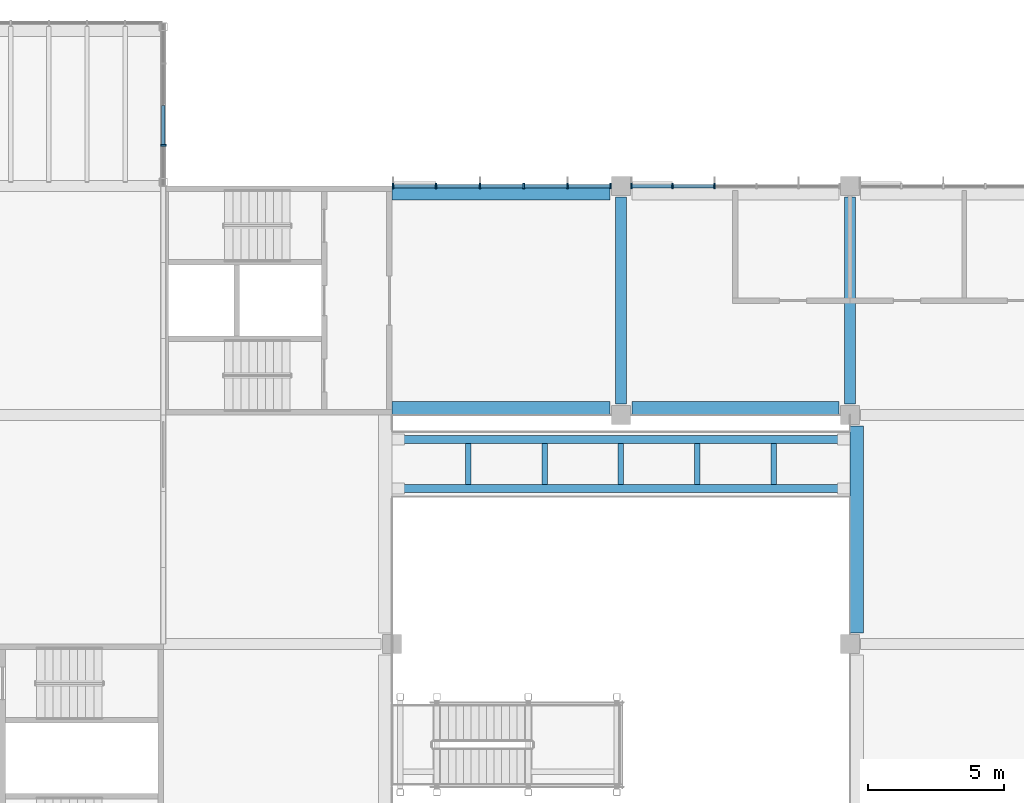
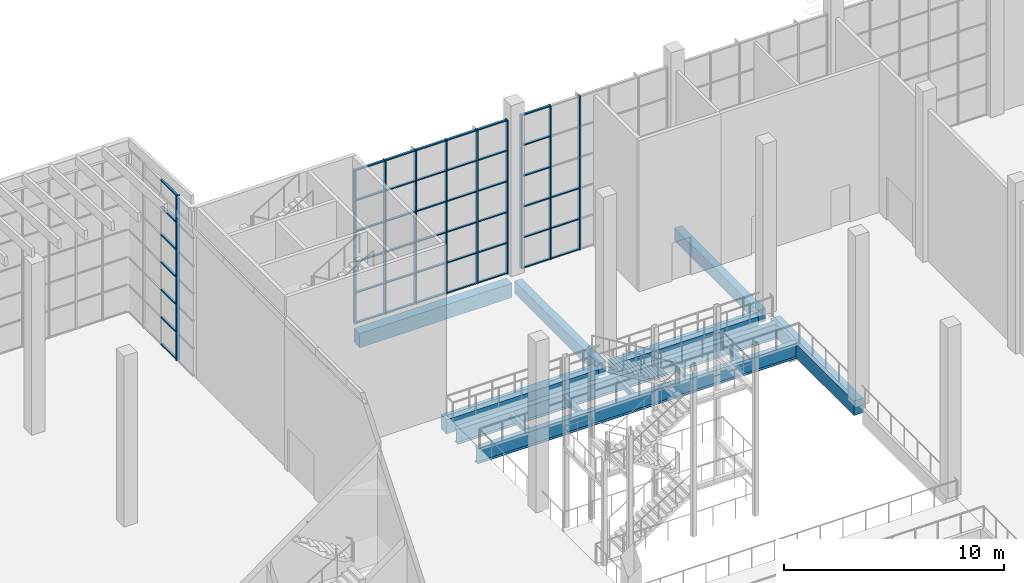
# One storey, part 23 of 114: 56 members, 13 beams, 3 elements without a shape of their own.
"""IFC4 building model written with IfcOpenShell, lengths in metres."""

from ifc_helpers import new_model, si_unit, direction, frame, origin, origin_2d, place, context, subcontext, project, spatial, rectangle, i_section, extrude, material, material_profile, profile_set, type_object, element, aggregate, save


model = new_model("IFC4")

# Units and contexts
model_context = context("Model", 3, precision=1e-05, world=origin(), true_north=direction((0.0, 1.0)))
body_context = subcontext(model_context, "Body", "Model", "MODEL_VIEW")
ifc_project = project(units=[si_unit("LENGTHUNIT", "METRE"), si_unit("AREAUNIT", "SQUARE_METRE"), si_unit("VOLUMEUNIT", "CUBIC_METRE"), si_unit("PLANEANGLEUNIT", "RADIAN"), si_unit("MASSUNIT", "GRAM", prefix="KILO")], contexts=[model_context])

# Site, building, storey
site_placement = place(None, origin())
site = spatial("IfcSite", under=ifc_project, at=site_placement, CompositionType="ELEMENT")
building_placement = place(site_placement, origin())
building = spatial("IfcBuilding", under=site, at=building_placement, Name="Almond Square Museum", CompositionType="ELEMENT")
storey_placement = place(building_placement, frame((0.0, 0.0, 10.5)))
storey = spatial("IfcBuildingStorey", under=building, at=storey_placement, Name="L02", CompositionType="ELEMENT", Elevation=10.5)

# Curtain wall, members
ifc_material_1 = material(Name="Aluminium and laminated glass", Category="aluminium")
curtain_wall_type = type_object("IfcCurtainWallType", Name="Unitised curtain wall 1500 module", PredefinedType="NOTDEFINED", material=ifc_material_1)
curtain_wall_1_placement = place(storey_placement, origin())
curtain_wall_1 = element("IfcCurtainWall", 1, at=curtain_wall_1_placement, inside=storey, type_object=curtain_wall_type, Name="Curtain wall CW-18", PredefinedType="NOTDEFINED")
ifc_material_2 = material(Name="Anodised aluminium", Category="aluminium")
ifc_material_profile_1 = material_profile(ifc_material_2, rectangle(XDim=0.199951171875, YDim=0.06005859375, at=origin_2d()))
ifc_profile_set_1 = profile_set([ifc_material_profile_1], Name="Anodised aluminium")
member_type_1 = type_object("IfcMemberType", Name="Aluminium mullion 60 x 200", PredefinedType="MULLION", material=ifc_profile_set_1)
member_1_placement = place(storey_placement, frame((90.3798828125, 109.199951171875, 0.0), z_axis=(0.0, 0.0, 1.0), x_axis=(0.0, 1.0, 0.0)))
member_1 = element("IfcMember", 2, at=member_1_placement, type_object=member_type_1, Name="CW-18 mullion 1", PredefinedType="MULLION", context=body_context, shape_type="SweptSolid", body=[
    extrude(rectangle(XDim=0.199951171875, YDim=0.06005859375, at=origin_2d()), origin(), (0.0, 0.0, 1.0), 8.550048828125),
])
member_2_placement = place(storey_placement, frame((91.889892578125, 109.199951171875, 0.0), z_axis=(0.0, 0.0, 1.0), x_axis=(0.0, 1.0, 0.0)))
member_2 = element("IfcMember", 3, at=member_2_placement, type_object=member_type_1, Name="CW-18 mullion 2", PredefinedType="MULLION", context=body_context, shape_type="SweptSolid", body=[
    extrude(rectangle(XDim=0.199951171875, YDim=0.06005859375, at=origin_2d()), origin(), (0.0, 0.0, 1.0), 8.550048828125),
])
member_3_placement = place(storey_placement, frame((93.429931640625, 109.199951171875, 0.0), z_axis=(0.0, 0.0, 1.0), x_axis=(0.0, 1.0, 0.0)))
member_3 = element("IfcMember", 4, at=member_3_placement, type_object=member_type_1, Name="CW-18 mullion 3", PredefinedType="MULLION", context=body_context, shape_type="SweptSolid", body=[
    extrude(rectangle(XDim=0.199951171875, YDim=0.06005859375, at=origin_2d()), origin(), (0.0, 0.0, 1.0), 8.550048828125),
])

curtain_wall_2_placement = place(storey_placement, origin())
curtain_wall_2 = element("IfcCurtainWall", 5, at=curtain_wall_2_placement, inside=storey, type_object=curtain_wall_type, Name="Curtain wall CW-19", PredefinedType="NOTDEFINED")
member_4_placement = place(storey_placement, frame((81.6298828125, 109.199951171875, 0.0), z_axis=(0.0, 0.0, 1.0), x_axis=(0.0, 1.0, 0.0)))
member_4 = element("IfcMember", 6, at=member_4_placement, type_object=member_type_1, Name="CW-19 mullion 1", PredefinedType="MULLION", context=body_context, shape_type="SweptSolid", body=[
    extrude(rectangle(XDim=0.199951171875, YDim=0.06005859375, at=origin_2d()), origin(), (0.0, 0.0, 1.0), 8.550048828125),
])
member_5_placement = place(storey_placement, frame((83.2099609375, 109.199951171875, 0.0), z_axis=(0.0, 0.0, 1.0), x_axis=(0.0, 1.0, 0.0)))
member_5 = element("IfcMember", 7, at=member_5_placement, type_object=member_type_1, Name="CW-19 mullion 2", PredefinedType="MULLION", context=body_context, shape_type="SweptSolid", body=[
    extrude(rectangle(XDim=0.199951171875, YDim=0.06005859375, at=origin_2d()), origin(), (0.0, 0.0, 1.0), 8.550048828125),
])
member_6_placement = place(storey_placement, frame((84.820068359375, 109.199951171875, 0.0), z_axis=(0.0, 0.0, 1.0), x_axis=(0.0, 1.0, 0.0)))
member_6 = element("IfcMember", 8, at=member_6_placement, type_object=member_type_1, Name="CW-19 mullion 3", PredefinedType="MULLION", context=body_context, shape_type="SweptSolid", body=[
    extrude(rectangle(XDim=0.199951171875, YDim=0.06005859375, at=origin_2d()), origin(), (0.0, 0.0, 1.0), 8.550048828125),
])
member_7_placement = place(storey_placement, frame((86.429931640625, 109.199951171875, 0.0), z_axis=(0.0, 0.0, 1.0), x_axis=(0.0, 1.0, 0.0)))
member_7 = element("IfcMember", 9, at=member_7_placement, type_object=member_type_1, Name="CW-19 mullion 4", PredefinedType="MULLION", context=body_context, shape_type="SweptSolid", body=[
    extrude(rectangle(XDim=0.199951171875, YDim=0.06005859375, at=origin_2d()), origin(), (0.0, 0.0, 1.0), 8.550048828125),
])
member_8_placement = place(storey_placement, frame((88.0400390625, 109.199951171875, 0.0), z_axis=(0.0, 0.0, 1.0), x_axis=(0.0, 1.0, 0.0)))
member_8 = element("IfcMember", 10, at=member_8_placement, type_object=member_type_1, Name="CW-19 mullion 5", PredefinedType="MULLION", context=body_context, shape_type="SweptSolid", body=[
    extrude(rectangle(XDim=0.199951171875, YDim=0.06005859375, at=origin_2d()), origin(), (0.0, 0.0, 1.0), 8.550048828125),
])
member_9_placement = place(storey_placement, frame((89.6201171875, 109.199951171875, 0.0), z_axis=(0.0, 0.0, 1.0), x_axis=(0.0, 1.0, 0.0)))
member_9 = element("IfcMember", 11, at=member_9_placement, type_object=member_type_1, Name="CW-19 mullion 6", PredefinedType="MULLION", context=body_context, shape_type="SweptSolid", body=[
    extrude(rectangle(XDim=0.199951171875, YDim=0.06005859375, at=origin_2d()), origin(), (0.0, 0.0, 1.0), 8.550048828125),
])

# Curtain wall, member
curtain_wall_3_placement = place(storey_placement, origin())
curtain_wall_3 = element("IfcCurtainWall", 12, at=curtain_wall_3_placement, inside=storey, type_object=curtain_wall_type, Name="Curtain wall CW-20", PredefinedType="NOTDEFINED")
member_10_placement = place(storey_placement, frame((73.199951171875, 110.699951171875, 0.0), z_axis=(0.0, 0.0, 1.0), x_axis=(-1.0, 0.0, 0.0)))
member_10 = element("IfcMember", 13, at=member_10_placement, type_object=member_type_1, Name="CW-20 mullion 2", PredefinedType="MULLION", context=body_context, shape_type="SweptSolid", body=[
    extrude(rectangle(XDim=0.199951171875, YDim=0.06005859375, at=origin_2d()), origin(), (0.0, 0.0, 1.0), 9.166259765625),
])

# Member
ifc_material_3 = material(Name="Anodised aluminium", Category="aluminium")
ifc_material_profile_2 = material_profile(ifc_material_3, rectangle(XDim=0.1201171875, YDim=0.06005859375, at=origin_2d()))
ifc_profile_set_2 = profile_set([ifc_material_profile_2], Name="Anodised aluminium")
member_type_2 = type_object("IfcMemberType", Name="Aluminium transom 60 x 120", PredefinedType="USERDEFINED", material=ifc_profile_set_2)
member_11_placement = place(storey_placement, frame((90.409912109375, 109.199951171875, 0.030029296875), z_axis=(1.0, 0.0, 0.0), x_axis=(0.0, 1.0, 0.0)))
member_11 = element("IfcMember", 14, at=member_11_placement, type_object=member_type_2, Name="CW-18 transom 1.1", ObjectType="TRANSOM", PredefinedType="USERDEFINED", context=body_context, shape_type="SweptSolid", body=[
    extrude(rectangle(XDim=0.1201171875, YDim=0.06005859375, at=origin_2d()), origin(), (0.0, 0.0, 1.0), 1.4501953125),
])

member_12_placement = place(storey_placement, frame((90.409912109375, 109.199951171875, 1.7099609375), z_axis=(1.0, 0.0, 0.0), x_axis=(0.0, 1.0, 0.0)))
member_12 = element("IfcMember", 15, at=member_12_placement, type_object=member_type_2, Name="CW-18 transom 1.2", ObjectType="TRANSOM", PredefinedType="USERDEFINED", context=body_context, shape_type="SweptSolid", body=[
    extrude(rectangle(XDim=0.1201171875, YDim=0.06005859375, at=origin_2d()), origin(), (0.0, 0.0, 1.0), 1.4501953125),
])

member_13_placement = place(storey_placement, frame((90.409912109375, 109.199951171875, 3.419921875), z_axis=(1.0, 0.0, 0.0), x_axis=(0.0, 1.0, 0.0)))
member_13 = element("IfcMember", 16, at=member_13_placement, type_object=member_type_2, Name="CW-18 transom 1.3", ObjectType="TRANSOM", PredefinedType="USERDEFINED", context=body_context, shape_type="SweptSolid", body=[
    extrude(rectangle(XDim=0.1201171875, YDim=0.06005859375, at=origin_2d()), origin(), (0.0, 0.0, 1.0), 1.4501953125),
])

member_14_placement = place(storey_placement, frame((90.409912109375, 109.199951171875, 5.1298828125), z_axis=(1.0, 0.0, 0.0), x_axis=(0.0, 1.0, 0.0)))
member_14 = element("IfcMember", 17, at=member_14_placement, type_object=member_type_2, Name="CW-18 transom 1.4", ObjectType="TRANSOM", PredefinedType="USERDEFINED", context=body_context, shape_type="SweptSolid", body=[
    extrude(rectangle(XDim=0.1201171875, YDim=0.06005859375, at=origin_2d()), origin(), (0.0, 0.0, 1.0), 1.4501953125),
])

member_15_placement = place(storey_placement, frame((90.409912109375, 109.199951171875, 6.840087890625), z_axis=(1.0, 0.0, 0.0), x_axis=(0.0, 1.0, 0.0)))
member_15 = element("IfcMember", 18, at=member_15_placement, type_object=member_type_2, Name="CW-18 transom 1.5", ObjectType="TRANSOM", PredefinedType="USERDEFINED", context=body_context, shape_type="SweptSolid", body=[
    extrude(rectangle(XDim=0.1201171875, YDim=0.06005859375, at=origin_2d()), origin(), (0.0, 0.0, 1.0), 1.4501953125),
])

member_16_placement = place(storey_placement, frame((90.409912109375, 109.199951171875, 8.52001953125), z_axis=(1.0, 0.0, 0.0), x_axis=(0.0, 1.0, 0.0)))
member_16 = element("IfcMember", 19, at=member_16_placement, type_object=member_type_2, Name="CW-18 transom 1.6", ObjectType="TRANSOM", PredefinedType="USERDEFINED", context=body_context, shape_type="SweptSolid", body=[
    extrude(rectangle(XDim=0.1201171875, YDim=0.06005859375, at=origin_2d()), origin(), (0.0, 0.0, 1.0), 1.4501953125),
])

member_17_placement = place(storey_placement, frame((91.919921875, 109.199951171875, 0.030029296875), z_axis=(1.0, 0.0, 0.0), x_axis=(0.0, 1.0, 0.0)))
member_17 = element("IfcMember", 20, at=member_17_placement, type_object=member_type_2, Name="CW-18 transom 2.1", ObjectType="TRANSOM", PredefinedType="USERDEFINED", context=body_context, shape_type="SweptSolid", body=[
    extrude(rectangle(XDim=0.1201171875, YDim=0.06005859375, at=origin_2d()), origin(), (0.0, 0.0, 1.0), 1.47998046875),
])

member_18_placement = place(storey_placement, frame((91.919921875, 109.199951171875, 1.7099609375), z_axis=(1.0, 0.0, 0.0), x_axis=(0.0, 1.0, 0.0)))
member_18 = element("IfcMember", 21, at=member_18_placement, type_object=member_type_2, Name="CW-18 transom 2.2", ObjectType="TRANSOM", PredefinedType="USERDEFINED", context=body_context, shape_type="SweptSolid", body=[
    extrude(rectangle(XDim=0.1201171875, YDim=0.06005859375, at=origin_2d()), origin(), (0.0, 0.0, 1.0), 1.47998046875),
])

member_19_placement = place(storey_placement, frame((91.919921875, 109.199951171875, 3.419921875), z_axis=(1.0, 0.0, 0.0), x_axis=(0.0, 1.0, 0.0)))
member_19 = element("IfcMember", 22, at=member_19_placement, type_object=member_type_2, Name="CW-18 transom 2.3", ObjectType="TRANSOM", PredefinedType="USERDEFINED", context=body_context, shape_type="SweptSolid", body=[
    extrude(rectangle(XDim=0.1201171875, YDim=0.06005859375, at=origin_2d()), origin(), (0.0, 0.0, 1.0), 1.47998046875),
])

aggregate(curtain_wall_1, [member_1, member_2, member_3, member_11, member_12, member_13, member_14, member_15, member_16, member_17, member_18, member_19])

member_20_placement = place(storey_placement, frame((81.659912109375, 109.199951171875, 0.030029296875), z_axis=(1.0, 0.0, 0.0), x_axis=(0.0, 1.0, 0.0)))
member_20 = element("IfcMember", 23, at=member_20_placement, type_object=member_type_2, Name="CW-19 transom 1.1", ObjectType="TRANSOM", PredefinedType="USERDEFINED", context=body_context, shape_type="SweptSolid", body=[
    extrude(rectangle(XDim=0.1201171875, YDim=0.06005859375, at=origin_2d()), origin(), (0.0, 0.0, 1.0), 1.52001953125),
])

member_21_placement = place(storey_placement, frame((81.659912109375, 109.199951171875, 1.7099609375), z_axis=(1.0, 0.0, 0.0), x_axis=(0.0, 1.0, 0.0)))
member_21 = element("IfcMember", 24, at=member_21_placement, type_object=member_type_2, Name="CW-19 transom 1.2", ObjectType="TRANSOM", PredefinedType="USERDEFINED", context=body_context, shape_type="SweptSolid", body=[
    extrude(rectangle(XDim=0.1201171875, YDim=0.06005859375, at=origin_2d()), origin(), (0.0, 0.0, 1.0), 1.52001953125),
])

member_22_placement = place(storey_placement, frame((81.659912109375, 109.199951171875, 3.419921875), z_axis=(1.0, 0.0, 0.0), x_axis=(0.0, 1.0, 0.0)))
member_22 = element("IfcMember", 25, at=member_22_placement, type_object=member_type_2, Name="CW-19 transom 1.3", ObjectType="TRANSOM", PredefinedType="USERDEFINED", context=body_context, shape_type="SweptSolid", body=[
    extrude(rectangle(XDim=0.1201171875, YDim=0.06005859375, at=origin_2d()), origin(), (0.0, 0.0, 1.0), 1.52001953125),
])

member_23_placement = place(storey_placement, frame((81.659912109375, 109.199951171875, 5.1298828125), z_axis=(1.0, 0.0, 0.0), x_axis=(0.0, 1.0, 0.0)))
member_23 = element("IfcMember", 26, at=member_23_placement, type_object=member_type_2, Name="CW-19 transom 1.4", ObjectType="TRANSOM", PredefinedType="USERDEFINED", context=body_context, shape_type="SweptSolid", body=[
    extrude(rectangle(XDim=0.1201171875, YDim=0.06005859375, at=origin_2d()), origin(), (0.0, 0.0, 1.0), 1.52001953125),
])

member_24_placement = place(storey_placement, frame((81.659912109375, 109.199951171875, 6.840087890625), z_axis=(1.0, 0.0, 0.0), x_axis=(0.0, 1.0, 0.0)))
member_24 = element("IfcMember", 27, at=member_24_placement, type_object=member_type_2, Name="CW-19 transom 1.5", ObjectType="TRANSOM", PredefinedType="USERDEFINED", context=body_context, shape_type="SweptSolid", body=[
    extrude(rectangle(XDim=0.1201171875, YDim=0.06005859375, at=origin_2d()), origin(), (0.0, 0.0, 1.0), 1.52001953125),
])

member_25_placement = place(storey_placement, frame((81.659912109375, 109.199951171875, 8.52001953125), z_axis=(1.0, 0.0, 0.0), x_axis=(0.0, 1.0, 0.0)))
member_25 = element("IfcMember", 28, at=member_25_placement, type_object=member_type_2, Name="CW-19 transom 1.6", ObjectType="TRANSOM", PredefinedType="USERDEFINED", context=body_context, shape_type="SweptSolid", body=[
    extrude(rectangle(XDim=0.1201171875, YDim=0.06005859375, at=origin_2d()), origin(), (0.0, 0.0, 1.0), 1.52001953125),
])

member_26_placement = place(storey_placement, frame((83.239990234375, 109.199951171875, 0.030029296875), z_axis=(1.0, 0.0, 0.0), x_axis=(0.0, 1.0, 0.0)))
member_26 = element("IfcMember", 29, at=member_26_placement, type_object=member_type_2, Name="CW-19 transom 2.1", ObjectType="TRANSOM", PredefinedType="USERDEFINED", context=body_context, shape_type="SweptSolid", body=[
    extrude(rectangle(XDim=0.1201171875, YDim=0.06005859375, at=origin_2d()), origin(), (0.0, 0.0, 1.0), 1.550048828125),
])

member_27_placement = place(storey_placement, frame((83.239990234375, 109.199951171875, 1.7099609375), z_axis=(1.0, 0.0, 0.0), x_axis=(0.0, 1.0, 0.0)))
member_27 = element("IfcMember", 30, at=member_27_placement, type_object=member_type_2, Name="CW-19 transom 2.2", ObjectType="TRANSOM", PredefinedType="USERDEFINED", context=body_context, shape_type="SweptSolid", body=[
    extrude(rectangle(XDim=0.1201171875, YDim=0.06005859375, at=origin_2d()), origin(), (0.0, 0.0, 1.0), 1.550048828125),
])

member_28_placement = place(storey_placement, frame((83.239990234375, 109.199951171875, 3.419921875), z_axis=(1.0, 0.0, 0.0), x_axis=(0.0, 1.0, 0.0)))
member_28 = element("IfcMember", 31, at=member_28_placement, type_object=member_type_2, Name="CW-19 transom 2.3", ObjectType="TRANSOM", PredefinedType="USERDEFINED", context=body_context, shape_type="SweptSolid", body=[
    extrude(rectangle(XDim=0.1201171875, YDim=0.06005859375, at=origin_2d()), origin(), (0.0, 0.0, 1.0), 1.550048828125),
])

member_29_placement = place(storey_placement, frame((83.239990234375, 109.199951171875, 5.1298828125), z_axis=(1.0, 0.0, 0.0), x_axis=(0.0, 1.0, 0.0)))
member_29 = element("IfcMember", 32, at=member_29_placement, type_object=member_type_2, Name="CW-19 transom 2.4", ObjectType="TRANSOM", PredefinedType="USERDEFINED", context=body_context, shape_type="SweptSolid", body=[
    extrude(rectangle(XDim=0.1201171875, YDim=0.06005859375, at=origin_2d()), origin(), (0.0, 0.0, 1.0), 1.550048828125),
])

member_30_placement = place(storey_placement, frame((83.239990234375, 109.199951171875, 6.840087890625), z_axis=(1.0, 0.0, 0.0), x_axis=(0.0, 1.0, 0.0)))
member_30 = element("IfcMember", 33, at=member_30_placement, type_object=member_type_2, Name="CW-19 transom 2.5", ObjectType="TRANSOM", PredefinedType="USERDEFINED", context=body_context, shape_type="SweptSolid", body=[
    extrude(rectangle(XDim=0.1201171875, YDim=0.06005859375, at=origin_2d()), origin(), (0.0, 0.0, 1.0), 1.550048828125),
])

member_31_placement = place(storey_placement, frame((83.239990234375, 109.199951171875, 8.52001953125), z_axis=(1.0, 0.0, 0.0), x_axis=(0.0, 1.0, 0.0)))
member_31 = element("IfcMember", 34, at=member_31_placement, type_object=member_type_2, Name="CW-19 transom 2.6", ObjectType="TRANSOM", PredefinedType="USERDEFINED", context=body_context, shape_type="SweptSolid", body=[
    extrude(rectangle(XDim=0.1201171875, YDim=0.06005859375, at=origin_2d()), origin(), (0.0, 0.0, 1.0), 1.550048828125),
])

member_32_placement = place(storey_placement, frame((84.85009765625, 109.199951171875, 0.030029296875), z_axis=(1.0, 0.0, 0.0), x_axis=(0.0, 1.0, 0.0)))
member_32 = element("IfcMember", 35, at=member_32_placement, type_object=member_type_2, Name="CW-19 transom 3.1", ObjectType="TRANSOM", PredefinedType="USERDEFINED", context=body_context, shape_type="SweptSolid", body=[
    extrude(rectangle(XDim=0.1201171875, YDim=0.06005859375, at=origin_2d()), origin(), (0.0, 0.0, 1.0), 1.5498046875),
])

member_33_placement = place(storey_placement, frame((84.85009765625, 109.199951171875, 1.7099609375), z_axis=(1.0, 0.0, 0.0), x_axis=(0.0, 1.0, 0.0)))
member_33 = element("IfcMember", 36, at=member_33_placement, type_object=member_type_2, Name="CW-19 transom 3.2", ObjectType="TRANSOM", PredefinedType="USERDEFINED", context=body_context, shape_type="SweptSolid", body=[
    extrude(rectangle(XDim=0.1201171875, YDim=0.06005859375, at=origin_2d()), origin(), (0.0, 0.0, 1.0), 1.5498046875),
])

member_34_placement = place(storey_placement, frame((84.85009765625, 109.199951171875, 3.419921875), z_axis=(1.0, 0.0, 0.0), x_axis=(0.0, 1.0, 0.0)))
member_34 = element("IfcMember", 37, at=member_34_placement, type_object=member_type_2, Name="CW-19 transom 3.3", ObjectType="TRANSOM", PredefinedType="USERDEFINED", context=body_context, shape_type="SweptSolid", body=[
    extrude(rectangle(XDim=0.1201171875, YDim=0.06005859375, at=origin_2d()), origin(), (0.0, 0.0, 1.0), 1.5498046875),
])

member_35_placement = place(storey_placement, frame((84.85009765625, 109.199951171875, 5.1298828125), z_axis=(1.0, 0.0, 0.0), x_axis=(0.0, 1.0, 0.0)))
member_35 = element("IfcMember", 38, at=member_35_placement, type_object=member_type_2, Name="CW-19 transom 3.4", ObjectType="TRANSOM", PredefinedType="USERDEFINED", context=body_context, shape_type="SweptSolid", body=[
    extrude(rectangle(XDim=0.1201171875, YDim=0.06005859375, at=origin_2d()), origin(), (0.0, 0.0, 1.0), 1.5498046875),
])

member_36_placement = place(storey_placement, frame((84.85009765625, 109.199951171875, 6.840087890625), z_axis=(1.0, 0.0, 0.0), x_axis=(0.0, 1.0, 0.0)))
member_36 = element("IfcMember", 39, at=member_36_placement, type_object=member_type_2, Name="CW-19 transom 3.5", ObjectType="TRANSOM", PredefinedType="USERDEFINED", context=body_context, shape_type="SweptSolid", body=[
    extrude(rectangle(XDim=0.1201171875, YDim=0.06005859375, at=origin_2d()), origin(), (0.0, 0.0, 1.0), 1.5498046875),
])

member_37_placement = place(storey_placement, frame((84.85009765625, 109.199951171875, 8.52001953125), z_axis=(1.0, 0.0, 0.0), x_axis=(0.0, 1.0, 0.0)))
member_37 = element("IfcMember", 40, at=member_37_placement, type_object=member_type_2, Name="CW-19 transom 3.6", ObjectType="TRANSOM", PredefinedType="USERDEFINED", context=body_context, shape_type="SweptSolid", body=[
    extrude(rectangle(XDim=0.1201171875, YDim=0.06005859375, at=origin_2d()), origin(), (0.0, 0.0, 1.0), 1.5498046875),
])

member_38_placement = place(storey_placement, frame((86.4599609375, 109.199951171875, 0.030029296875), z_axis=(1.0, 0.0, 0.0), x_axis=(0.0, 1.0, 0.0)))
member_38 = element("IfcMember", 41, at=member_38_placement, type_object=member_type_2, Name="CW-19 transom 4.1", ObjectType="TRANSOM", PredefinedType="USERDEFINED", context=body_context, shape_type="SweptSolid", body=[
    extrude(rectangle(XDim=0.1201171875, YDim=0.06005859375, at=origin_2d()), origin(), (0.0, 0.0, 1.0), 1.550048828125),
])

member_39_placement = place(storey_placement, frame((86.4599609375, 109.199951171875, 1.7099609375), z_axis=(1.0, 0.0, 0.0), x_axis=(0.0, 1.0, 0.0)))
member_39 = element("IfcMember", 42, at=member_39_placement, type_object=member_type_2, Name="CW-19 transom 4.2", ObjectType="TRANSOM", PredefinedType="USERDEFINED", context=body_context, shape_type="SweptSolid", body=[
    extrude(rectangle(XDim=0.1201171875, YDim=0.06005859375, at=origin_2d()), origin(), (0.0, 0.0, 1.0), 1.550048828125),
])

member_40_placement = place(storey_placement, frame((86.4599609375, 109.199951171875, 3.419921875), z_axis=(1.0, 0.0, 0.0), x_axis=(0.0, 1.0, 0.0)))
member_40 = element("IfcMember", 43, at=member_40_placement, type_object=member_type_2, Name="CW-19 transom 4.3", ObjectType="TRANSOM", PredefinedType="USERDEFINED", context=body_context, shape_type="SweptSolid", body=[
    extrude(rectangle(XDim=0.1201171875, YDim=0.06005859375, at=origin_2d()), origin(), (0.0, 0.0, 1.0), 1.550048828125),
])

member_41_placement = place(storey_placement, frame((86.4599609375, 109.199951171875, 5.1298828125), z_axis=(1.0, 0.0, 0.0), x_axis=(0.0, 1.0, 0.0)))
member_41 = element("IfcMember", 44, at=member_41_placement, type_object=member_type_2, Name="CW-19 transom 4.4", ObjectType="TRANSOM", PredefinedType="USERDEFINED", context=body_context, shape_type="SweptSolid", body=[
    extrude(rectangle(XDim=0.1201171875, YDim=0.06005859375, at=origin_2d()), origin(), (0.0, 0.0, 1.0), 1.550048828125),
])

member_42_placement = place(storey_placement, frame((86.4599609375, 109.199951171875, 6.840087890625), z_axis=(1.0, 0.0, 0.0), x_axis=(0.0, 1.0, 0.0)))
member_42 = element("IfcMember", 45, at=member_42_placement, type_object=member_type_2, Name="CW-19 transom 4.5", ObjectType="TRANSOM", PredefinedType="USERDEFINED", context=body_context, shape_type="SweptSolid", body=[
    extrude(rectangle(XDim=0.1201171875, YDim=0.06005859375, at=origin_2d()), origin(), (0.0, 0.0, 1.0), 1.550048828125),
])

member_43_placement = place(storey_placement, frame((86.4599609375, 109.199951171875, 8.52001953125), z_axis=(1.0, 0.0, 0.0), x_axis=(0.0, 1.0, 0.0)))
member_43 = element("IfcMember", 46, at=member_43_placement, type_object=member_type_2, Name="CW-19 transom 4.6", ObjectType="TRANSOM", PredefinedType="USERDEFINED", context=body_context, shape_type="SweptSolid", body=[
    extrude(rectangle(XDim=0.1201171875, YDim=0.06005859375, at=origin_2d()), origin(), (0.0, 0.0, 1.0), 1.550048828125),
])

member_44_placement = place(storey_placement, frame((88.070068359375, 109.199951171875, 0.030029296875), z_axis=(1.0, 0.0, 0.0), x_axis=(0.0, 1.0, 0.0)))
member_44 = element("IfcMember", 47, at=member_44_placement, type_object=member_type_2, Name="CW-19 transom 5.1", ObjectType="TRANSOM", PredefinedType="USERDEFINED", context=body_context, shape_type="SweptSolid", body=[
    extrude(rectangle(XDim=0.1201171875, YDim=0.06005859375, at=origin_2d()), origin(), (0.0, 0.0, 1.0), 1.52001953125),
])

member_45_placement = place(storey_placement, frame((88.070068359375, 109.199951171875, 1.7099609375), z_axis=(1.0, 0.0, 0.0), x_axis=(0.0, 1.0, 0.0)))
member_45 = element("IfcMember", 48, at=member_45_placement, type_object=member_type_2, Name="CW-19 transom 5.2", ObjectType="TRANSOM", PredefinedType="USERDEFINED", context=body_context, shape_type="SweptSolid", body=[
    extrude(rectangle(XDim=0.1201171875, YDim=0.06005859375, at=origin_2d()), origin(), (0.0, 0.0, 1.0), 1.52001953125),
])

member_46_placement = place(storey_placement, frame((88.070068359375, 109.199951171875, 3.419921875), z_axis=(1.0, 0.0, 0.0), x_axis=(0.0, 1.0, 0.0)))
member_46 = element("IfcMember", 49, at=member_46_placement, type_object=member_type_2, Name="CW-19 transom 5.3", ObjectType="TRANSOM", PredefinedType="USERDEFINED", context=body_context, shape_type="SweptSolid", body=[
    extrude(rectangle(XDim=0.1201171875, YDim=0.06005859375, at=origin_2d()), origin(), (0.0, 0.0, 1.0), 1.52001953125),
])

member_47_placement = place(storey_placement, frame((88.070068359375, 109.199951171875, 5.1298828125), z_axis=(1.0, 0.0, 0.0), x_axis=(0.0, 1.0, 0.0)))
member_47 = element("IfcMember", 50, at=member_47_placement, type_object=member_type_2, Name="CW-19 transom 5.4", ObjectType="TRANSOM", PredefinedType="USERDEFINED", context=body_context, shape_type="SweptSolid", body=[
    extrude(rectangle(XDim=0.1201171875, YDim=0.06005859375, at=origin_2d()), origin(), (0.0, 0.0, 1.0), 1.52001953125),
])

member_48_placement = place(storey_placement, frame((88.070068359375, 109.199951171875, 6.840087890625), z_axis=(1.0, 0.0, 0.0), x_axis=(0.0, 1.0, 0.0)))
member_48 = element("IfcMember", 51, at=member_48_placement, type_object=member_type_2, Name="CW-19 transom 5.5", ObjectType="TRANSOM", PredefinedType="USERDEFINED", context=body_context, shape_type="SweptSolid", body=[
    extrude(rectangle(XDim=0.1201171875, YDim=0.06005859375, at=origin_2d()), origin(), (0.0, 0.0, 1.0), 1.52001953125),
])

member_49_placement = place(storey_placement, frame((88.070068359375, 109.199951171875, 8.52001953125), z_axis=(1.0, 0.0, 0.0), x_axis=(0.0, 1.0, 0.0)))
member_49 = element("IfcMember", 52, at=member_49_placement, type_object=member_type_2, Name="CW-19 transom 5.6", ObjectType="TRANSOM", PredefinedType="USERDEFINED", context=body_context, shape_type="SweptSolid", body=[
    extrude(rectangle(XDim=0.1201171875, YDim=0.06005859375, at=origin_2d()), origin(), (0.0, 0.0, 1.0), 1.52001953125),
])

aggregate(curtain_wall_2, [member_4, member_5, member_6, member_7, member_8, member_9, member_20, member_21, member_22, member_23, member_24, member_25, member_26, member_27, member_28, member_29, member_30, member_31, member_32, member_33, member_34, member_35, member_36, member_37, member_38, member_39, member_40, member_41, member_42, member_43, member_44, member_45, member_46, member_47, member_48, member_49])

member_50_placement = place(storey_placement, frame((73.199951171875, 110.72998046875, 0.030029296875), z_axis=(0.0, 1.0, 0.0), x_axis=(-1.0, 0.0, 0.0)))
member_50 = element("IfcMember", 53, at=member_50_placement, type_object=member_type_2, Name="CW-20 transom 2.1", ObjectType="TRANSOM", PredefinedType="USERDEFINED", context=body_context, shape_type="SweptSolid", body=[
    extrude(rectangle(XDim=0.1201171875, YDim=0.06005859375, at=origin_2d()), origin(), (0.0, 0.0, 1.0), 1.43994140625),
])

member_51_placement = place(storey_placement, frame((73.199951171875, 110.72998046875, 1.527587890625), z_axis=(0.0, 1.0, 0.0), x_axis=(-1.0, 0.0, 0.0)))
member_51 = element("IfcMember", 54, at=member_51_placement, type_object=member_type_2, Name="CW-20 transom 2.2", ObjectType="TRANSOM", PredefinedType="USERDEFINED", context=body_context, shape_type="SweptSolid", body=[
    extrude(rectangle(XDim=0.1201171875, YDim=0.06005859375, at=origin_2d()), origin(), (0.0, 0.0, 1.0), 1.43994140625),
])

member_52_placement = place(storey_placement, frame((73.199951171875, 110.72998046875, 3.055419921875), z_axis=(0.0, 1.0, 0.0), x_axis=(-1.0, 0.0, 0.0)))
member_52 = element("IfcMember", 55, at=member_52_placement, type_object=member_type_2, Name="CW-20 transom 2.3", ObjectType="TRANSOM", PredefinedType="USERDEFINED", context=body_context, shape_type="SweptSolid", body=[
    extrude(rectangle(XDim=0.1201171875, YDim=0.06005859375, at=origin_2d()), origin(), (0.0, 0.0, 1.0), 1.43994140625),
])

member_53_placement = place(storey_placement, frame((73.199951171875, 110.72998046875, 4.5830078125), z_axis=(0.0, 1.0, 0.0), x_axis=(-1.0, 0.0, 0.0)))
member_53 = element("IfcMember", 56, at=member_53_placement, type_object=member_type_2, Name="CW-20 transom 2.4", ObjectType="TRANSOM", PredefinedType="USERDEFINED", context=body_context, shape_type="SweptSolid", body=[
    extrude(rectangle(XDim=0.1201171875, YDim=0.06005859375, at=origin_2d()), origin(), (0.0, 0.0, 1.0), 1.43994140625),
])

member_54_placement = place(storey_placement, frame((73.199951171875, 110.72998046875, 6.11083984375), z_axis=(0.0, 1.0, 0.0), x_axis=(-1.0, 0.0, 0.0)))
member_54 = element("IfcMember", 57, at=member_54_placement, type_object=member_type_2, Name="CW-20 transom 2.5", ObjectType="TRANSOM", PredefinedType="USERDEFINED", context=body_context, shape_type="SweptSolid", body=[
    extrude(rectangle(XDim=0.1201171875, YDim=0.06005859375, at=origin_2d()), origin(), (0.0, 0.0, 1.0), 1.43994140625),
])

member_55_placement = place(storey_placement, frame((73.199951171875, 110.72998046875, 7.638427734375), z_axis=(0.0, 1.0, 0.0), x_axis=(-1.0, 0.0, 0.0)))
member_55 = element("IfcMember", 58, at=member_55_placement, type_object=member_type_2, Name="CW-20 transom 2.6", ObjectType="TRANSOM", PredefinedType="USERDEFINED", context=body_context, shape_type="SweptSolid", body=[
    extrude(rectangle(XDim=0.1201171875, YDim=0.06005859375, at=origin_2d()), origin(), (0.0, 0.0, 1.0), 1.43994140625),
])

member_56_placement = place(storey_placement, frame((73.199951171875, 110.72998046875, 9.13623046875), z_axis=(0.0, 1.0, 0.0), x_axis=(-1.0, 0.0, 0.0)))
member_56 = element("IfcMember", 59, at=member_56_placement, type_object=member_type_2, Name="CW-20 transom 2.7", ObjectType="TRANSOM", PredefinedType="USERDEFINED", context=body_context, shape_type="SweptSolid", body=[
    extrude(rectangle(XDim=0.1201171875, YDim=0.06005859375, at=origin_2d()), origin(), (0.0, 0.0, 1.0), 1.43994140625),
])

aggregate(curtain_wall_3, [member_10, member_50, member_51, member_52, member_53, member_54, member_55, member_56])

# Beams
ifc_material_4 = material(Name="Structural steel S355", Category="steel")
ifc_material_profile_3 = material_profile(ifc_material_4, i_section(OverallWidth=0.202880859375, OverallDepth=0.302001953125, WebThickness=0.007568359375, FlangeThickness=0.01318359375, at=origin_2d()))
ifc_profile_set_3 = profile_set([ifc_material_profile_3], Name="Structural steel S355")
beam_type_1 = type_object("IfcBeamType", Name="Floor beam W310x60", PredefinedType="BEAM", material=ifc_profile_set_3)
for number, where, z_axis, x_axis, name in (
    (60, (84.39990234375, 98.24609375, -0.301025390625), (0.0, 1.0, 0.0), (-1.0, 0.0, 0.0), "Bridge 4 cross beam 1"),
    (61, (87.199951171875, 98.24609375, -0.301025390625), (0.0, 1.0, 0.0), (-1.0, 0.0, 0.0), "Bridge 4 cross beam 2"),
    (62, (90.0, 98.24609375, -0.301025390625), (0.0, 1.0, 0.0), (-1.0, 0.0, 0.0), "Bridge 4 cross beam 3"),
    (63, (92.800048828125, 98.24609375, -0.301025390625), (0.0, 1.0, 0.0), (-1.0, 0.0, 0.0), "Bridge 4 cross beam 4"),
    (64, (95.60009765625, 98.24609375, -0.301025390625), (0.0, 1.0, 0.0), (-1.0, 0.0, 0.0), "Bridge 4 cross beam 5"),
):
    element("IfcBeam", number, at=place(storey_placement, frame(where, z_axis=z_axis, x_axis=x_axis)), inside=storey, type_object=beam_type_1, Name=name, PredefinedType="BEAM", context=body_context, shape_type="SweptSolid", body=[
        extrude(i_section(OverallWidth=0.202880859375, OverallDepth=0.302001953125, WebThickness=0.007568359375, FlangeThickness=0.01318359375, at=origin_2d()), origin(), (0.0, 0.0, 1.0), 1.5078125),
    ])
ifc_material_5 = material(Name="Structural steel S355", Category="steel")
ifc_material_profile_4 = material_profile(ifc_material_5, i_section(OverallWidth=0.2919921875, OverallDepth=0.8359375, WebThickness=0.013916015625, FlangeThickness=0.018798828125, at=origin_2d()))
ifc_profile_set_4 = profile_set([ifc_material_profile_4], Name="Structural steel S355")
beam_type_2 = type_object("IfcBeamType", Name="Girder W840x176", PredefinedType="BEAM", material=ifc_profile_set_4)
for number, where, z_axis, x_axis, name in (
    (65, (81.60009765625, 98.10009765625, -0.568115234375), (1.0, 0.0, 0.0), (0.0, 1.0, 0.0), "Bridge 4 girder 1"),
    (66, (81.60009765625, 99.89990234375, -0.568115234375), (1.0, 0.0, 0.0), (0.0, 1.0, 0.0), "Bridge 4 girder 2"),
):
    element("IfcBeam", number, at=place(storey_placement, frame(where, z_axis=z_axis, x_axis=x_axis)), inside=storey, type_object=beam_type_2, Name=name, PredefinedType="BEAM", context=body_context, shape_type="SweptSolid", body=[
        extrude(i_section(OverallWidth=0.2919921875, OverallDepth=0.8359375, WebThickness=0.013916015625, FlangeThickness=0.018798828125, at=origin_2d()), origin(), (0.0, 0.0, 1.0), 16.7998046875),
    ])
ifc_material_6 = material(Name="Concrete C40/50", Category="concrete")
ifc_material_profile_5 = material_profile(ifc_material_6, rectangle(XDim=0.39990234375, YDim=0.699951171875, at=origin_2d()))
ifc_profile_set_5 = profile_set([ifc_material_profile_5], Name="Concrete C40/50")
beam_type_3 = type_object("IfcBeamType", Name="RC beam 400 x 700 C40/50", PredefinedType="BEAM", material=ifc_profile_set_5)
for number, where, z_axis, x_axis, name in (
    (67, (90.0, 101.199951171875, -0.60009765625), (0.0, 1.0, 0.0), (-1.0, 0.0, 0.0), "Beam 12 M-N L02"),
    (68, (98.39990234375, 101.199951171875, -0.60009765625), (0.0, 1.0, 0.0), (-1.0, 0.0, 0.0), "Beam 13 M-N L02"),
):
    element("IfcBeam", number, at=place(storey_placement, frame(where, z_axis=z_axis, x_axis=x_axis)), inside=storey, type_object=beam_type_3, Name=name, PredefinedType="BEAM", context=body_context, shape_type="SweptSolid", body=[
        extrude(rectangle(XDim=0.39990234375, YDim=0.699951171875, at=origin_2d()), origin(), (0.0, 0.0, 1.0), 7.60009765625),
    ])
ifc_material_7 = material(Name="Concrete C40/50", Category="concrete")
ifc_material_profile_6 = material_profile(ifc_material_7, rectangle(XDim=0.5, YDim=0.800048828125, at=origin_2d()))
ifc_profile_set_6 = profile_set([ifc_material_profile_6], Name="Concrete C40/50")
beam_type_4 = type_object("IfcBeamType", Name="RC edge beam 500 x 800 C40/50", PredefinedType="BEAM", material=ifc_profile_set_6)
beam_1_placement = place(storey_placement, frame((81.60009765625, 101.050048828125, -0.64990234375), z_axis=(1.0, 0.0, 0.0), x_axis=(0.0, 1.0, 0.0)))
element("IfcBeam", 69, at=beam_1_placement, inside=storey, type_object=beam_type_4, Name="Edge beam M 11-12 L02", PredefinedType="BEAM", context=body_context, shape_type="SweptSolid", body=[
    extrude(rectangle(XDim=0.5, YDim=0.800048828125, at=origin_2d()), origin(), (0.0, 0.0, 1.0), 8.0),
])
beam_2_placement = place(storey_placement, frame((90.39990234375, 101.050048828125, -0.64990234375), z_axis=(1.0, 0.0, 0.0), x_axis=(0.0, 1.0, 0.0)))
element("IfcBeam", 70, at=beam_2_placement, inside=storey, type_object=beam_type_4, Name="Edge beam M 12-13 L02", PredefinedType="BEAM", context=body_context, shape_type="SweptSolid", body=[
    extrude(rectangle(XDim=0.5, YDim=0.800048828125, at=origin_2d()), origin(), (0.0, 0.0, 1.0), 7.60009765625),
])
beam_3_placement = place(storey_placement, frame((81.60009765625, 108.949951171875, -0.64990234375), z_axis=(1.0, 0.0, 0.0), x_axis=(0.0, 1.0, 0.0)))
element("IfcBeam", 71, at=beam_3_placement, inside=storey, type_object=beam_type_4, Name="Edge beam N 11-12 L02", PredefinedType="BEAM", context=body_context, shape_type="SweptSolid", body=[
    extrude(rectangle(XDim=0.5, YDim=0.800048828125, at=origin_2d()), origin(), (0.0, 0.0, 1.0), 8.0),
])
beam_4_placement = place(storey_placement, frame((98.64990234375, 92.800048828125, -0.64990234375), z_axis=(0.0, 1.0, 0.0), x_axis=(-1.0, 0.0, 0.0)))
element("IfcBeam", 72, at=beam_4_placement, inside=storey, type_object=beam_type_4, Name="Edge beam 13 L-M L02", PredefinedType="BEAM", context=body_context, shape_type="SweptSolid", body=[
    extrude(rectangle(XDim=0.5, YDim=0.800048828125, at=origin_2d()), origin(), (0.0, 0.0, 1.0), 7.599853515625),
])

save(model, "model.ifc")
